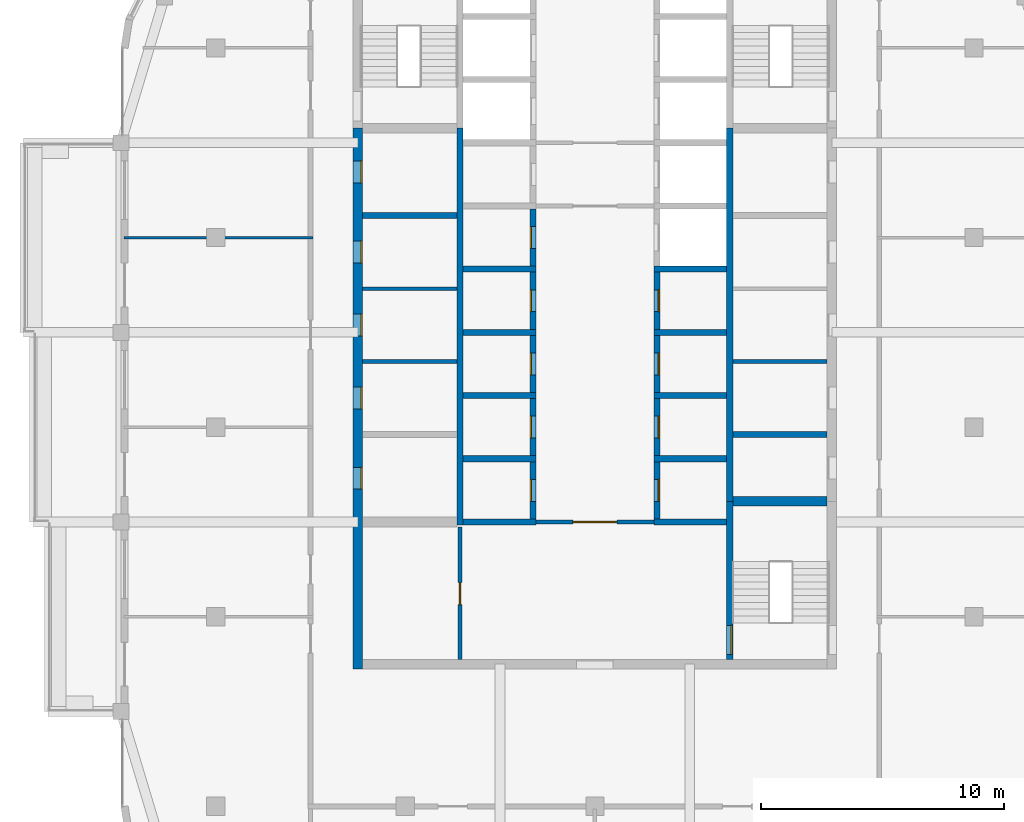
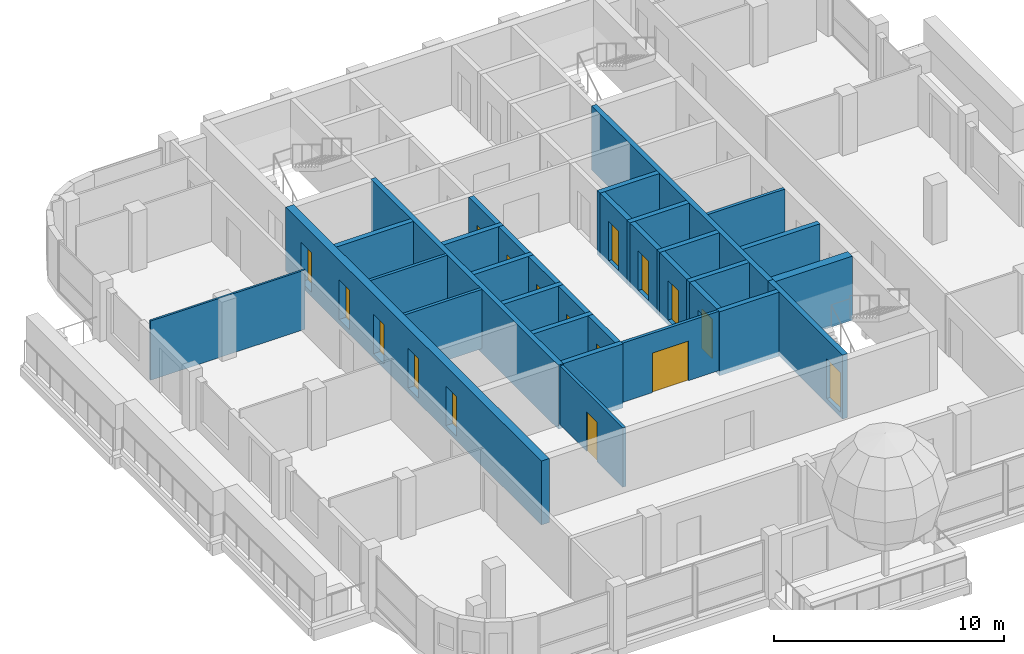
# One storey, part 11 of 19: 32 walls, 17 doors, 17 openings.
"""IFC4 building model written with IfcOpenShell, lengths in metres."""

from ifc_helpers import new_model, si_unit, direction, frame, frame_2d, origin, place, context, subcontext, project, spatial, rectangle, extrude, material, layer, layer_set, type_object, element, fill, save


model = new_model("IFC4")

# Units and contexts
model_context = context("Model", 3, precision=1e-05, world=origin(), true_north=direction((0.0, 1.0)))
body_context = subcontext(model_context, "Body", "Model", "MODEL_VIEW")
ifc_project = project(units=[si_unit("LENGTHUNIT", "METRE"), si_unit("AREAUNIT", "SQUARE_METRE"), si_unit("VOLUMEUNIT", "CUBIC_METRE"), si_unit("PLANEANGLEUNIT", "RADIAN"), si_unit("MASSUNIT", "GRAM", prefix="KILO")], contexts=[model_context])

# Site, building, storey
site_placement = place(None, origin())
site = spatial("IfcSite", under=ifc_project, at=site_placement, CompositionType="ELEMENT")
building_placement = place(site_placement, origin())
building = spatial("IfcBuilding", under=site, at=building_placement, Name="Ludao Terraces", CompositionType="ELEMENT")
storey_placement = place(building_placement, frame((0.0, 0.0, 256.199951171875)))
storey = spatial("IfcBuildingStorey", under=building, at=storey_placement, Name="L70", CompositionType="ELEMENT", Elevation=256.199951171875)

# Wall, openings, doors
ifc_material_1 = material(Name="Concrete C50", Category="concrete")
ifc_layer_1 = layer(ifc_material_1, 0.39990234375)
ifc_layer_set_1 = layer_set([ifc_layer_1], Name="Core wall 400 C50")
wall_type_1 = type_object("IfcWallType", Name="Core wall 400 C50", PredefinedType="SOLIDWALL", material=ifc_layer_set_1)
wall_1_placement = place(storey_placement, frame((75.25, 55.050048828125, -0.25), z_axis=(0.0, 0.0, 1.0), x_axis=(0.0, 1.0, 0.0)))
wall_1 = element("IfcWall", 1, at=wall_1_placement, inside=storey, type_object=wall_type_1, Name="Core wall L70 outer-W", PredefinedType="SOLIDWALL", context=body_context, shape_type="SweptSolid", body=[
    extrude(rectangle(XDim=22.25, YDim=0.39990234375, at=frame_2d((11.125, 0.0))), origin(), (0.0, 0.0, 1.0), 3.400146484375),
])
opening_1_placement = place(wall_1_placement, frame((7.39990234375, 0.0, 0.25)))
opening_1 = element("IfcOpeningElement", 2, at=opening_1_placement, cuts=wall_1, Name="Opening C4-013", PredefinedType="OPENING", context=body_context, shape_type="SweptSolid", body=[
    extrude(rectangle(XDim=0.89990234375, YDim=2.10009765625, at=frame_2d((0.449951171875, 1.050048828125))), frame((0.0, 0.2099609375, 0.0), z_axis=(0.0, -1.0, 0.0), x_axis=(1.0, 0.0, 0.0)), (0.0, 0.0, 1.0), 0.419921875),
])
opening_2_placement = place(wall_1_placement, frame((10.699951171875, 0.0, 0.25)))
opening_2 = element("IfcOpeningElement", 3, at=opening_2_placement, cuts=wall_1, Name="Opening C4-018", PredefinedType="OPENING", context=body_context, shape_type="SweptSolid", body=[
    extrude(rectangle(XDim=0.89990234375, YDim=2.10009765625, at=frame_2d((0.449951171875, 1.050048828125))), frame((0.0, 0.2099609375, 0.0), z_axis=(0.0, -1.0, 0.0), x_axis=(1.0, 0.0, 0.0)), (0.0, 0.0, 1.0), 0.419921875),
])
opening_3_placement = place(wall_1_placement, frame((13.699951171875, 0.0, 0.25)))
opening_3 = element("IfcOpeningElement", 4, at=opening_3_placement, cuts=wall_1, Name="Opening C4-023", PredefinedType="OPENING", context=body_context, shape_type="SweptSolid", body=[
    extrude(rectangle(XDim=0.89990234375, YDim=2.10009765625, at=frame_2d((0.449951171875, 1.050048828125))), frame((0.0, 0.2099609375, 0.0), z_axis=(0.0, -1.0, 0.0), x_axis=(1.0, 0.0, 0.0)), (0.0, 0.0, 1.0), 0.419921875),
])
opening_4_placement = place(wall_1_placement, frame((16.699951171875, 0.0, 0.25)))
opening_4 = element("IfcOpeningElement", 5, at=opening_4_placement, cuts=wall_1, Name="Opening C4-027", PredefinedType="OPENING", context=body_context, shape_type="SweptSolid", body=[
    extrude(rectangle(XDim=0.89990234375, YDim=2.10009765625, at=frame_2d((0.449951171875, 1.050048828125))), frame((0.0, 0.2099609375, 0.0), z_axis=(0.0, -1.0, 0.0), x_axis=(1.0, 0.0, 0.0)), (0.0, 0.0, 1.0), 0.419921875),
])
opening_5_placement = place(wall_1_placement, frame((20.0, 0.0, 0.25)))
opening_5 = element("IfcOpeningElement", 6, at=opening_5_placement, cuts=wall_1, Name="Opening C4-034", PredefinedType="OPENING", context=body_context, shape_type="SweptSolid", body=[
    extrude(rectangle(XDim=0.89990234375, YDim=2.10009765625, at=frame_2d((0.449951171875, 1.050048828125))), frame((0.0, 0.2099609375, 0.0), z_axis=(0.0, -1.0, 0.0), x_axis=(1.0, 0.0, 0.0)), (0.0, 0.0, 1.0), 0.419921875),
])
ifc_material_2 = material(Name="Steel Q235", Category="steel")
door_type_1 = type_object("IfcDoorType", Name="INT Riser door 900", OperationType="SINGLE_SWING_LEFT", PredefinedType="DOOR", material=ifc_material_2)
door_1_placement = place(opening_1_placement, origin())
door_1 = element("IfcDoor", 7, at=door_1_placement, inside=storey, type_object=door_type_1, Name="DOOR 013", OperationType="SINGLE_SWING_RIGHT", OverallHeight=2.10009765625, OverallWidth=0.89990234375, PredefinedType="DOOR", context=body_context, shape_type="SweptSolid", body=[
    extrude(rectangle(XDim=0.89990234375, YDim=2.10009765625, at=frame_2d((0.449951171875, 1.050048828125))), frame((0.0, -0.134765625, 0.0), z_axis=(0.0, -1.0, 0.0), x_axis=(1.0, 0.0, 0.0)), (0.0, 0.0, 1.0), 0.050048828125),
])
fill(opening_1, door_1)
door_2_placement = place(opening_5_placement, origin())
door_2 = element("IfcDoor", 8, at=door_2_placement, inside=storey, type_object=door_type_1, Name="DOOR 034", OperationType="SINGLE_SWING_LEFT", OverallHeight=2.10009765625, OverallWidth=0.89990234375, PredefinedType="DOOR", context=body_context, shape_type="SweptSolid", body=[
    extrude(rectangle(XDim=0.89990234375, YDim=2.10009765625, at=frame_2d((0.449951171875, 1.050048828125))), frame((0.0, -0.134765625, 0.0), z_axis=(0.0, -1.0, 0.0), x_axis=(1.0, 0.0, 0.0)), (0.0, 0.0, 1.0), 0.050048828125),
])
fill(opening_5, door_2)
ifc_material_3 = material(Name="Timber door leaf", Category="wood")
door_type_2 = type_object("IfcDoorType", Name="INT Room door 900", OperationType="SINGLE_SWING_LEFT", PredefinedType="DOOR", material=ifc_material_3)
door_3_placement = place(opening_2_placement, origin())
door_3 = element("IfcDoor", 9, at=door_3_placement, inside=storey, type_object=door_type_2, Name="DOOR 018", OperationType="SINGLE_SWING_RIGHT", OverallHeight=2.10009765625, OverallWidth=0.89990234375, PredefinedType="DOOR", context=body_context, shape_type="SweptSolid", body=[
    extrude(rectangle(XDim=0.89990234375, YDim=2.10009765625, at=frame_2d((0.449951171875, 1.050048828125))), frame((0.0, -0.134765625, 0.0), z_axis=(0.0, -1.0, 0.0), x_axis=(1.0, 0.0, 0.0)), (0.0, 0.0, 1.0), 0.050048828125),
])
fill(opening_2, door_3)
door_4_placement = place(opening_3_placement, origin())
door_4 = element("IfcDoor", 10, at=door_4_placement, inside=storey, type_object=door_type_2, Name="DOOR 023", OperationType="SINGLE_SWING_RIGHT", OverallHeight=2.10009765625, OverallWidth=0.89990234375, PredefinedType="DOOR", context=body_context, shape_type="SweptSolid", body=[
    extrude(rectangle(XDim=0.89990234375, YDim=2.10009765625, at=frame_2d((0.449951171875, 1.050048828125))), frame((0.0, -0.134765625, 0.0), z_axis=(0.0, -1.0, 0.0), x_axis=(1.0, 0.0, 0.0)), (0.0, 0.0, 1.0), 0.050048828125),
])
fill(opening_3, door_4)
door_5_placement = place(opening_4_placement, origin())
door_5 = element("IfcDoor", 11, at=door_5_placement, inside=storey, type_object=door_type_2, Name="DOOR 027", OperationType="SINGLE_SWING_RIGHT", OverallHeight=2.10009765625, OverallWidth=0.89990234375, PredefinedType="DOOR", context=body_context, shape_type="SweptSolid", body=[
    extrude(rectangle(XDim=0.89990234375, YDim=2.10009765625, at=frame_2d((0.449951171875, 1.050048828125))), frame((0.0, -0.134765625, 0.0), z_axis=(0.0, -1.0, 0.0), x_axis=(1.0, 0.0, 0.0)), (0.0, 0.0, 1.0), 0.050048828125),
])
fill(opening_4, door_5)

# Wall, opening, door
ifc_material_4 = material(Name="Fire-rated gypsum plasterboard", Category="gypsum")
ifc_layer_2 = layer(ifc_material_4, 0.012451171875, Category="gypsum")
ifc_material_5 = material(Name="Mineral wool")
ifc_layer_3 = layer(ifc_material_5, 0.10009765625, Name="insulation")
ifc_layer_4 = layer(ifc_material_2, 0.02490234375, Name="stud")
ifc_layer_5 = layer(ifc_material_4, 0.012451171875, Category="gypsum")
ifc_layer_set_2 = layer_set([ifc_layer_2, ifc_layer_3, ifc_layer_4, ifc_layer_5], Name="INT Core partition 150")
wall_type_2 = type_object("IfcWallType", Name="INT Core partition 150", PredefinedType="PARTITIONING", material=ifc_layer_set_2)
wall_2_placement = place(storey_placement, frame((82.5751953125, 61.10009765625, 0.0), z_axis=(0.0, 0.0, 1.0), x_axis=(1.0, 0.0, 0.0)))
wall_2 = element("IfcWall", 12, at=wall_2_placement, inside=storey, type_object=wall_type_2, Name="PW-L70-PW003", PredefinedType="PARTITIONING", context=body_context, shape_type="SweptSolid", body=[
    extrude(rectangle(XDim=4.849853515625, YDim=0.14990234375, at=frame_2d((2.4248046875, 0.0))), origin(), (0.0, 0.0, 1.0), 3.150146484375),
])
opening_6_placement = place(wall_2_placement, frame((1.52490234375, 0.0, 0.0)))
opening_6 = element("IfcOpeningElement", 13, at=opening_6_placement, cuts=wall_2, Name="Opening C4-010", PredefinedType="OPENING", context=body_context, shape_type="SweptSolid", body=[
    extrude(rectangle(XDim=1.800048828125, YDim=2.10009765625, at=frame_2d((0.89990234375, 1.050048828125))), frame((0.0, 0.0849609375, 0.0), z_axis=(0.0, -1.0, 0.0), x_axis=(1.0, 0.0, 0.0)), (0.0, 0.0, 1.0), 0.169921875),
])
door_type_3 = type_object("IfcDoorType", Name="INT Fire lobby door 1800", OperationType="DOUBLE_DOOR_SINGLE_SWING", PredefinedType="DOOR", material=ifc_material_2)
door_6_placement = place(opening_6_placement, origin())
door_6 = element("IfcDoor", 14, at=door_6_placement, inside=storey, type_object=door_type_3, Name="DOOR 010", OperationType="DOUBLE_DOOR_SINGLE_SWING", OverallHeight=2.10009765625, OverallWidth=1.800048828125, PredefinedType="DOOR", context=body_context, shape_type="SweptSolid", body=[
    extrude(rectangle(XDim=1.800048828125, YDim=2.10009765625, at=frame_2d((0.89990234375, 1.050048828125))), frame((0.0, 0.02490234375, 0.0), z_axis=(0.0, -1.0, 0.0), x_axis=(1.0, 0.0, 0.0)), (0.0, 0.0, 1.0), 0.050048828125),
])
fill(opening_6, door_6)

# Walls
for number, where, z_axis, x_axis, name in (
    (15, (75.4501953125, 67.699951171875, 0.0), (0.0, 0.0, 1.0), (1.0, 0.0, 0.0), "PW-L70-PW005"),
    (16, (90.675048828125, 67.699951171875, 0.0), (0.0, 0.0, 1.0), (1.0, 0.0, 0.0), "PW-L70-PW006"),
    (17, (75.4501953125, 70.699951171875, 0.0), (0.0, 0.0, 1.0), (1.0, 0.0, 0.0), "PW-L70-PW007"),
):
    element("IfcWall", number, at=place(storey_placement, frame(where, z_axis=z_axis, x_axis=x_axis)), inside=storey, type_object=wall_type_2, Name=name, PredefinedType="PARTITIONING", context=body_context, shape_type="SweptSolid", body=[
        extrude(rectangle(XDim=3.875, YDim=0.14990234375, at=frame_2d((1.9375, 0.0))), origin(), (0.0, 0.0, 1.0), 3.150146484375),
    ])

# Wall, opening, door
wall_3_placement = place(storey_placement, frame((79.449951171875, 55.4501953125, 0.0), z_axis=(0.0, 0.0, 1.0), x_axis=(0.0, 1.0, 0.0)))
wall_3 = element("IfcWall", 18, at=wall_3_placement, inside=storey, type_object=wall_type_2, Name="PW-L70-PW019", PredefinedType="PARTITIONING", context=body_context, shape_type="SweptSolid", body=[
    extrude(rectangle(XDim=5.449951171875, YDim=0.14990234375, at=frame_2d((2.72509765625, 0.0))), origin(), (0.0, 0.0, 1.0), 3.150146484375),
])
opening_7_placement = place(wall_3_placement, frame((2.25, 0.0, 0.0)))
opening_7 = element("IfcOpeningElement", 19, at=opening_7_placement, cuts=wall_3, Name="Opening C4-008", PredefinedType="OPENING", context=body_context, shape_type="SweptSolid", body=[
    extrude(rectangle(XDim=0.89990234375, YDim=2.10009765625, at=frame_2d((0.449951171875, 1.050048828125))), frame((0.0, 0.0849609375, 0.0), z_axis=(0.0, -1.0, 0.0), x_axis=(1.0, 0.0, 0.0)), (0.0, 0.0, 1.0), 0.169921875),
])
door_7_placement = place(opening_7_placement, origin())
door_7 = element("IfcDoor", 20, at=door_7_placement, inside=storey, type_object=door_type_2, Name="DOOR 008", OperationType="SINGLE_SWING_LEFT", OverallHeight=2.10009765625, OverallWidth=0.89990234375, PredefinedType="DOOR", context=body_context, shape_type="SweptSolid", body=[
    extrude(rectangle(XDim=0.89990234375, YDim=2.10009765625, at=frame_2d((0.449951171875, 1.050048828125))), frame((0.0, 0.02490234375, 0.0), z_axis=(0.0, -1.0, 0.0), x_axis=(1.0, 0.0, 0.0)), (0.0, 0.0, 1.0), 0.050048828125),
])
fill(opening_7, door_7)

# Walls
ifc_material_6 = material(Name="Gypsum plasterboard", Category="gypsum")
ifc_layer_6 = layer(ifc_material_6, 0.012451171875, Category="gypsum")
ifc_layer_7 = layer(ifc_material_5, 0.06005859375, Name="insulation")
ifc_layer_8 = layer(ifc_material_2, 0.014892578125, Name="stud")
ifc_layer_9 = layer(ifc_material_6, 0.012451171875, Category="gypsum")
ifc_layer_set_3 = layer_set([ifc_layer_6, ifc_layer_7, ifc_layer_8, ifc_layer_9], Name="INT Partition 100")
wall_type_3 = type_object("IfcWallType", Name="INT Partition 100", PredefinedType="PARTITIONING", material=ifc_layer_set_3)
wall_4_placement = place(storey_placement, frame((65.635009765625, 72.800048828125, 0.0), z_axis=(0.0, 0.0, 1.0), x_axis=(1.0, 0.0, 0.0)))
element("IfcWall", 21, at=wall_4_placement, inside=storey, type_object=wall_type_3, Name="PW-L70-PW009", PredefinedType="PARTITIONING", context=body_context, shape_type="SweptSolid", body=[
    extrude(rectangle(XDim=7.76513671875, YDim=0.10009765625, at=frame_2d((3.882568359375, 0.0))), origin(), (0.0, 0.0, 1.0), 3.150146484375),
])
ifc_layer_10 = layer(ifc_material_1, 0.25)
ifc_layer_set_4 = layer_set([ifc_layer_10], Name="Shaft wall 250 C50")
wall_type_4 = type_object("IfcWallType", Name="Shaft wall 250 C50", PredefinedType="SOLIDWALL", material=ifc_layer_set_4)
wall_5_placement = place(storey_placement, frame((79.449951171875, 60.97509765625, -0.25), z_axis=(0.0, 0.0, 1.0), x_axis=(0.0, 1.0, 0.0)))
element("IfcWall", 22, at=wall_5_placement, inside=storey, type_object=wall_type_4, Name="Core wall L70 back-W", PredefinedType="SOLIDWALL", context=body_context, shape_type="SweptSolid", body=[
    extrude(rectangle(XDim=16.324951171875, YDim=0.25, at=frame_2d((8.16259765625, 0.0))), origin(), (0.0, 0.0, 1.0), 3.400146484375),
])

# Wall, opening, door
wall_6_placement = place(storey_placement, frame((90.550048828125, 55.449951171875, -0.25), z_axis=(0.0, 0.0, 1.0), x_axis=(0.0, 1.0, 0.0)))
wall_6 = element("IfcWall", 23, at=wall_6_placement, inside=storey, type_object=wall_type_4, Name="Core wall L70 back-E-S3", PredefinedType="SOLIDWALL", context=body_context, shape_type="SweptSolid", body=[
    extrude(rectangle(XDim=6.5, YDim=0.25, at=frame_2d((3.25, 0.0))), origin(), (0.0, 0.0, 1.0), 3.400146484375),
])
opening_8_placement = place(wall_6_placement, frame((0.199951171875, 0.0, 0.25)))
opening_8 = element("IfcOpeningElement", 24, at=opening_8_placement, cuts=wall_6, Name="Opening C4-004", PredefinedType="OPENING", context=body_context, shape_type="SweptSolid", body=[
    extrude(rectangle(XDim=1.199951171875, YDim=2.10009765625, at=frame_2d((0.60009765625, 1.050048828125))), frame((0.0, 0.135009765625, 0.0), z_axis=(0.0, -1.0, 0.0), x_axis=(1.0, 0.0, 0.0)), (0.0, 0.0, 1.0), 0.27001953125),
])
door_type_4 = type_object("IfcDoorType", Name="INT Stair door 1200", OperationType="DOUBLE_DOOR_SINGLE_SWING", PredefinedType="DOOR", material=ifc_material_2)
door_8_placement = place(opening_8_placement, origin())
door_8 = element("IfcDoor", 25, at=door_8_placement, inside=storey, type_object=door_type_4, Name="DOOR 004", OperationType="DOUBLE_DOOR_SINGLE_SWING", OverallHeight=2.10009765625, OverallWidth=1.199951171875, PredefinedType="DOOR", context=body_context, shape_type="SweptSolid", body=[
    extrude(rectangle(XDim=1.199951171875, YDim=2.10009765625, at=frame_2d((0.60009765625, 1.050048828125))), frame((0.0, -0.06005859375, 0.0), z_axis=(0.0, -1.0, 0.0), x_axis=(1.0, 0.0, 0.0)), (0.0, 0.0, 1.0), 0.050048828125),
])
fill(opening_8, door_8)

# Walls
wall_7_placement = place(storey_placement, frame((90.550048828125, 61.949951171875, -0.25), z_axis=(0.0, 0.0, 1.0), x_axis=(0.0, 1.0, 0.0)))
element("IfcWall", 26, at=wall_7_placement, inside=storey, type_object=wall_type_4, Name="Core wall L70 back-E", PredefinedType="SOLIDWALL", context=body_context, shape_type="SweptSolid", body=[
    extrude(rectangle(XDim=15.35009765625, YDim=0.25, at=frame_2d((7.675048828125, 0.0))), origin(), (0.0, 0.0, 1.0), 3.400146484375),
])
wall_8_placement = place(storey_placement, frame((79.574951171875, 61.10009765625, -0.25), z_axis=(0.0, 0.0, 1.0), x_axis=(1.0, 0.0, 0.0)))
element("IfcWall", 27, at=wall_8_placement, inside=storey, type_object=wall_type_4, Name="Core wall L70 div-W1", PredefinedType="SOLIDWALL", context=body_context, shape_type="SweptSolid", body=[
    extrude(rectangle(XDim=3.0, YDim=0.25, at=frame_2d((1.5, 0.0))), origin(), (0.0, 0.0, 1.0), 3.400146484375),
])

# Wall, opening, door
wall_9_placement = place(storey_placement, frame((82.449951171875, 61.22509765625, -0.25), z_axis=(0.0, 0.0, 1.0), x_axis=(0.0, 1.0, 0.0)))
wall_9 = element("IfcWall", 28, at=wall_9_placement, inside=storey, type_object=wall_type_4, Name="Core wall L70 front-W1", PredefinedType="SOLIDWALL", context=body_context, shape_type="SweptSolid", body=[
    extrude(rectangle(XDim=2.349853515625, YDim=0.25, at=frame_2d((1.1748046875, 0.0))), origin(), (0.0, 0.0, 1.0), 3.400146484375),
])
opening_9_placement = place(wall_9_placement, frame((0.72509765625, 0.0, 0.25)))
opening_9 = element("IfcOpeningElement", 29, at=opening_9_placement, cuts=wall_9, Name="Opening C4-011", PredefinedType="OPENING", context=body_context, shape_type="SweptSolid", body=[
    extrude(rectangle(XDim=0.89990234375, YDim=2.10009765625, at=frame_2d((0.449951171875, 1.050048828125))), frame((0.0, 0.135009765625, 0.0), z_axis=(0.0, -1.0, 0.0), x_axis=(1.0, 0.0, 0.0)), (0.0, 0.0, 1.0), 0.27001953125),
])
door_9_placement = place(opening_9_placement, origin())
door_9 = element("IfcDoor", 30, at=door_9_placement, inside=storey, type_object=door_type_2, Name="DOOR 011", OperationType="SINGLE_SWING_LEFT", OverallHeight=2.10009765625, OverallWidth=0.89990234375, PredefinedType="DOOR", context=body_context, shape_type="SweptSolid", body=[
    extrude(rectangle(XDim=0.89990234375, YDim=2.10009765625, at=frame_2d((0.449951171875, 1.050048828125))), frame((0.0, 0.10986328125, 0.0), z_axis=(0.0, -1.0, 0.0), x_axis=(1.0, 0.0, 0.0)), (0.0, 0.0, 1.0), 0.050048828125),
])
fill(opening_9, door_9)

# Wall
wall_10_placement = place(storey_placement, frame((79.574951171875, 63.699951171875, -0.25), z_axis=(0.0, 0.0, 1.0), x_axis=(1.0, 0.0, 0.0)))
element("IfcWall", 31, at=wall_10_placement, inside=storey, type_object=wall_type_4, Name="Core wall L70 div-W2", PredefinedType="SOLIDWALL", context=body_context, shape_type="SweptSolid", body=[
    extrude(rectangle(XDim=3.0, YDim=0.25, at=frame_2d((1.5, 0.0))), origin(), (0.0, 0.0, 1.0), 3.400146484375),
])

# Wall, opening, door
wall_11_placement = place(storey_placement, frame((82.449951171875, 63.824951171875, -0.25), z_axis=(0.0, 0.0, 1.0), x_axis=(0.0, 1.0, 0.0)))
wall_11 = element("IfcWall", 32, at=wall_11_placement, inside=storey, type_object=wall_type_4, Name="Core wall L70 front-W2", PredefinedType="SOLIDWALL", context=body_context, shape_type="SweptSolid", body=[
    extrude(rectangle(XDim=2.35009765625, YDim=0.25, at=frame_2d((1.175048828125, 0.0))), origin(), (0.0, 0.0, 1.0), 3.400146484375),
])
opening_10_placement = place(wall_11_placement, frame((0.72509765625, 0.0, 0.25)))
opening_10 = element("IfcOpeningElement", 33, at=opening_10_placement, cuts=wall_11, Name="Opening C4-016", PredefinedType="OPENING", context=body_context, shape_type="SweptSolid", body=[
    extrude(rectangle(XDim=0.89990234375, YDim=2.10009765625, at=frame_2d((0.449951171875, 1.050048828125))), frame((0.0, 0.135009765625, 0.0), z_axis=(0.0, -1.0, 0.0), x_axis=(1.0, 0.0, 0.0)), (0.0, 0.0, 1.0), 0.27001953125),
])
door_10_placement = place(opening_10_placement, origin())
door_10 = element("IfcDoor", 34, at=door_10_placement, inside=storey, type_object=door_type_2, Name="DOOR 016", OperationType="SINGLE_SWING_LEFT", OverallHeight=2.10009765625, OverallWidth=0.89990234375, PredefinedType="DOOR", context=body_context, shape_type="SweptSolid", body=[
    extrude(rectangle(XDim=0.89990234375, YDim=2.10009765625, at=frame_2d((0.449951171875, 1.050048828125))), frame((0.0, 0.10986328125, 0.0), z_axis=(0.0, -1.0, 0.0), x_axis=(1.0, 0.0, 0.0)), (0.0, 0.0, 1.0), 0.050048828125),
])
fill(opening_10, door_10)

# Wall
wall_12_placement = place(storey_placement, frame((79.574951171875, 66.300048828125, -0.25), z_axis=(0.0, 0.0, 1.0), x_axis=(1.0, 0.0, 0.0)))
element("IfcWall", 35, at=wall_12_placement, inside=storey, type_object=wall_type_4, Name="Core wall L70 div-W3", PredefinedType="SOLIDWALL", context=body_context, shape_type="SweptSolid", body=[
    extrude(rectangle(XDim=3.0, YDim=0.25, at=frame_2d((1.5, 0.0))), origin(), (0.0, 0.0, 1.0), 3.400146484375),
])

# Wall, opening, door
wall_13_placement = place(storey_placement, frame((82.449951171875, 66.425048828125, -0.25), z_axis=(0.0, 0.0, 1.0), x_axis=(0.0, 1.0, 0.0)))
wall_13 = element("IfcWall", 36, at=wall_13_placement, inside=storey, type_object=wall_type_4, Name="Core wall L70 front-W3", PredefinedType="SOLIDWALL", context=body_context, shape_type="SweptSolid", body=[
    extrude(rectangle(XDim=2.349853515625, YDim=0.25, at=frame_2d((1.1748046875, 0.0))), origin(), (0.0, 0.0, 1.0), 3.400146484375),
])
opening_11_placement = place(wall_13_placement, frame((0.72509765625, 0.0, 0.25)))
opening_11 = element("IfcOpeningElement", 37, at=opening_11_placement, cuts=wall_13, Name="Opening C4-020", PredefinedType="OPENING", context=body_context, shape_type="SweptSolid", body=[
    extrude(rectangle(XDim=0.89990234375, YDim=2.10009765625, at=frame_2d((0.449951171875, 1.050048828125))), frame((0.0, 0.135009765625, 0.0), z_axis=(0.0, -1.0, 0.0), x_axis=(1.0, 0.0, 0.0)), (0.0, 0.0, 1.0), 0.27001953125),
])
door_11_placement = place(opening_11_placement, origin())
door_11 = element("IfcDoor", 38, at=door_11_placement, inside=storey, type_object=door_type_2, Name="DOOR 020", OperationType="SINGLE_SWING_LEFT", OverallHeight=2.10009765625, OverallWidth=0.89990234375, PredefinedType="DOOR", context=body_context, shape_type="SweptSolid", body=[
    extrude(rectangle(XDim=0.89990234375, YDim=2.10009765625, at=frame_2d((0.449951171875, 1.050048828125))), frame((0.0, 0.10986328125, 0.0), z_axis=(0.0, -1.0, 0.0), x_axis=(1.0, 0.0, 0.0)), (0.0, 0.0, 1.0), 0.050048828125),
])
fill(opening_11, door_11)

# Wall
wall_14_placement = place(storey_placement, frame((79.574951171875, 68.89990234375, -0.25), z_axis=(0.0, 0.0, 1.0), x_axis=(1.0, 0.0, 0.0)))
element("IfcWall", 39, at=wall_14_placement, inside=storey, type_object=wall_type_4, Name="Core wall L70 div-W4", PredefinedType="SOLIDWALL", context=body_context, shape_type="SweptSolid", body=[
    extrude(rectangle(XDim=3.0, YDim=0.25, at=frame_2d((1.5, 0.0))), origin(), (0.0, 0.0, 1.0), 3.400146484375),
])

# Wall, opening, door
wall_15_placement = place(storey_placement, frame((82.449951171875, 69.02490234375, -0.25), z_axis=(0.0, 0.0, 1.0), x_axis=(0.0, 1.0, 0.0)))
wall_15 = element("IfcWall", 40, at=wall_15_placement, inside=storey, type_object=wall_type_4, Name="Core wall L70 front-W4", PredefinedType="SOLIDWALL", context=body_context, shape_type="SweptSolid", body=[
    extrude(rectangle(XDim=2.35009765625, YDim=0.25, at=frame_2d((1.175048828125, 0.0))), origin(), (0.0, 0.0, 1.0), 3.400146484375),
])
opening_12_placement = place(wall_15_placement, frame((0.72509765625, 0.0, 0.25)))
opening_12 = element("IfcOpeningElement", 41, at=opening_12_placement, cuts=wall_15, Name="Opening C4-025", PredefinedType="OPENING", context=body_context, shape_type="SweptSolid", body=[
    extrude(rectangle(XDim=0.89990234375, YDim=2.10009765625, at=frame_2d((0.449951171875, 1.050048828125))), frame((0.0, 0.135009765625, 0.0), z_axis=(0.0, -1.0, 0.0), x_axis=(1.0, 0.0, 0.0)), (0.0, 0.0, 1.0), 0.27001953125),
])
door_12_placement = place(opening_12_placement, origin())
door_12 = element("IfcDoor", 42, at=door_12_placement, inside=storey, type_object=door_type_2, Name="DOOR 025", OperationType="SINGLE_SWING_RIGHT", OverallHeight=2.10009765625, OverallWidth=0.89990234375, PredefinedType="DOOR", context=body_context, shape_type="SweptSolid", body=[
    extrude(rectangle(XDim=0.89990234375, YDim=2.10009765625, at=frame_2d((0.449951171875, 1.050048828125))), frame((0.0, 0.10986328125, 0.0), z_axis=(0.0, -1.0, 0.0), x_axis=(1.0, 0.0, 0.0)), (0.0, 0.0, 1.0), 0.050048828125),
])
fill(opening_12, door_12)

# Wall
wall_16_placement = place(storey_placement, frame((79.574951171875, 71.5, -0.25), z_axis=(0.0, 0.0, 1.0), x_axis=(1.0, 0.0, 0.0)))
element("IfcWall", 43, at=wall_16_placement, inside=storey, type_object=wall_type_4, Name="Core wall L70 div-W5", PredefinedType="SOLIDWALL", context=body_context, shape_type="SweptSolid", body=[
    extrude(rectangle(XDim=3.0, YDim=0.25, at=frame_2d((1.5, 0.0))), origin(), (0.0, 0.0, 1.0), 3.400146484375),
])

# Wall, opening, door
wall_17_placement = place(storey_placement, frame((82.449951171875, 71.625, -0.25), z_axis=(0.0, 0.0, 1.0), x_axis=(0.0, 1.0, 0.0)))
wall_17 = element("IfcWall", 44, at=wall_17_placement, inside=storey, type_object=wall_type_4, Name="Core wall L70 front-W5", PredefinedType="SOLIDWALL", context=body_context, shape_type="SweptSolid", body=[
    extrude(rectangle(XDim=2.35009765625, YDim=0.25, at=frame_2d((1.175048828125, 0.0))), origin(), (0.0, 0.0, 1.0), 3.400146484375),
])
opening_13_placement = place(wall_17_placement, frame((0.72509765625, 0.0, 0.25)))
opening_13 = element("IfcOpeningElement", 45, at=opening_13_placement, cuts=wall_17, Name="Opening C4-029", PredefinedType="OPENING", context=body_context, shape_type="SweptSolid", body=[
    extrude(rectangle(XDim=0.89990234375, YDim=2.10009765625, at=frame_2d((0.449951171875, 1.050048828125))), frame((0.0, 0.135009765625, 0.0), z_axis=(0.0, -1.0, 0.0), x_axis=(1.0, 0.0, 0.0)), (0.0, 0.0, 1.0), 0.27001953125),
])
door_13_placement = place(opening_13_placement, origin())
door_13 = element("IfcDoor", 46, at=door_13_placement, inside=storey, type_object=door_type_2, Name="DOOR 029", OperationType="SINGLE_SWING_LEFT", OverallHeight=2.10009765625, OverallWidth=0.89990234375, PredefinedType="DOOR", context=body_context, shape_type="SweptSolid", body=[
    extrude(rectangle(XDim=0.89990234375, YDim=2.10009765625, at=frame_2d((0.449951171875, 1.050048828125))), frame((0.0, 0.10986328125, 0.0), z_axis=(0.0, -1.0, 0.0), x_axis=(1.0, 0.0, 0.0)), (0.0, 0.0, 1.0), 0.050048828125),
])
fill(opening_13, door_13)

# Wall
wall_18_placement = place(storey_placement, frame((87.425048828125, 61.10009765625, -0.25), z_axis=(0.0, 0.0, 1.0), x_axis=(1.0, 0.0, 0.0)))
element("IfcWall", 47, at=wall_18_placement, inside=storey, type_object=wall_type_4, Name="Core wall L70 div-E1", PredefinedType="SOLIDWALL", context=body_context, shape_type="SweptSolid", body=[
    extrude(rectangle(XDim=3.0, YDim=0.25, at=frame_2d((1.5, 0.0))), origin(), (0.0, 0.0, 1.0), 3.400146484375),
])

# Wall, opening, door
wall_19_placement = place(storey_placement, frame((87.550048828125, 61.22509765625, -0.25), z_axis=(0.0, 0.0, 1.0), x_axis=(0.0, 1.0, 0.0)))
wall_19 = element("IfcWall", 48, at=wall_19_placement, inside=storey, type_object=wall_type_4, Name="Core wall L70 front-E1", PredefinedType="SOLIDWALL", context=body_context, shape_type="SweptSolid", body=[
    extrude(rectangle(XDim=2.349853515625, YDim=0.25, at=frame_2d((1.1748046875, 0.0))), origin(), (0.0, 0.0, 1.0), 3.400146484375),
])
opening_14_placement = place(wall_19_placement, frame((0.72509765625, 0.0, 0.25)))
opening_14 = element("IfcOpeningElement", 49, at=opening_14_placement, cuts=wall_19, Name="Opening C4-012", PredefinedType="OPENING", context=body_context, shape_type="SweptSolid", body=[
    extrude(rectangle(XDim=0.89990234375, YDim=2.10009765625, at=frame_2d((0.449951171875, 1.050048828125))), frame((0.0, 0.135009765625, 0.0), z_axis=(0.0, -1.0, 0.0), x_axis=(1.0, 0.0, 0.0)), (0.0, 0.0, 1.0), 0.27001953125),
])
door_14_placement = place(opening_14_placement, origin())
door_14 = element("IfcDoor", 50, at=door_14_placement, inside=storey, type_object=door_type_2, Name="DOOR 012", OperationType="SINGLE_SWING_RIGHT", OverallHeight=2.10009765625, OverallWidth=0.89990234375, PredefinedType="DOOR", context=body_context, shape_type="SweptSolid", body=[
    extrude(rectangle(XDim=0.89990234375, YDim=2.10009765625, at=frame_2d((0.449951171875, 1.050048828125))), frame((0.0, -0.06005859375, 0.0), z_axis=(0.0, -1.0, 0.0), x_axis=(1.0, 0.0, 0.0)), (0.0, 0.0, 1.0), 0.050048828125),
])
fill(opening_14, door_14)

# Wall
wall_20_placement = place(storey_placement, frame((87.425048828125, 63.699951171875, -0.25), z_axis=(0.0, 0.0, 1.0), x_axis=(1.0, 0.0, 0.0)))
element("IfcWall", 51, at=wall_20_placement, inside=storey, type_object=wall_type_4, Name="Core wall L70 div-E2", PredefinedType="SOLIDWALL", context=body_context, shape_type="SweptSolid", body=[
    extrude(rectangle(XDim=3.0, YDim=0.25, at=frame_2d((1.5, 0.0))), origin(), (0.0, 0.0, 1.0), 3.400146484375),
])

# Wall, opening, door
wall_21_placement = place(storey_placement, frame((87.550048828125, 63.824951171875, -0.25), z_axis=(0.0, 0.0, 1.0), x_axis=(0.0, 1.0, 0.0)))
wall_21 = element("IfcWall", 52, at=wall_21_placement, inside=storey, type_object=wall_type_4, Name="Core wall L70 front-E2", PredefinedType="SOLIDWALL", context=body_context, shape_type="SweptSolid", body=[
    extrude(rectangle(XDim=2.35009765625, YDim=0.25, at=frame_2d((1.175048828125, 0.0))), origin(), (0.0, 0.0, 1.0), 3.400146484375),
])
opening_15_placement = place(wall_21_placement, frame((0.72509765625, 0.0, 0.25)))
opening_15 = element("IfcOpeningElement", 53, at=opening_15_placement, cuts=wall_21, Name="Opening C4-017", PredefinedType="OPENING", context=body_context, shape_type="SweptSolid", body=[
    extrude(rectangle(XDim=0.89990234375, YDim=2.10009765625, at=frame_2d((0.449951171875, 1.050048828125))), frame((0.0, 0.135009765625, 0.0), z_axis=(0.0, -1.0, 0.0), x_axis=(1.0, 0.0, 0.0)), (0.0, 0.0, 1.0), 0.27001953125),
])
door_15_placement = place(opening_15_placement, origin())
door_15 = element("IfcDoor", 54, at=door_15_placement, inside=storey, type_object=door_type_2, Name="DOOR 017", OperationType="SINGLE_SWING_RIGHT", OverallHeight=2.10009765625, OverallWidth=0.89990234375, PredefinedType="DOOR", context=body_context, shape_type="SweptSolid", body=[
    extrude(rectangle(XDim=0.89990234375, YDim=2.10009765625, at=frame_2d((0.449951171875, 1.050048828125))), frame((0.0, -0.06005859375, 0.0), z_axis=(0.0, -1.0, 0.0), x_axis=(1.0, 0.0, 0.0)), (0.0, 0.0, 1.0), 0.050048828125),
])
fill(opening_15, door_15)

# Wall
wall_22_placement = place(storey_placement, frame((87.425048828125, 66.300048828125, -0.25), z_axis=(0.0, 0.0, 1.0), x_axis=(1.0, 0.0, 0.0)))
element("IfcWall", 55, at=wall_22_placement, inside=storey, type_object=wall_type_4, Name="Core wall L70 div-E3", PredefinedType="SOLIDWALL", context=body_context, shape_type="SweptSolid", body=[
    extrude(rectangle(XDim=3.0, YDim=0.25, at=frame_2d((1.5, 0.0))), origin(), (0.0, 0.0, 1.0), 3.400146484375),
])

# Wall, opening, door
wall_23_placement = place(storey_placement, frame((87.550048828125, 66.425048828125, -0.25), z_axis=(0.0, 0.0, 1.0), x_axis=(0.0, 1.0, 0.0)))
wall_23 = element("IfcWall", 56, at=wall_23_placement, inside=storey, type_object=wall_type_4, Name="Core wall L70 front-E3", PredefinedType="SOLIDWALL", context=body_context, shape_type="SweptSolid", body=[
    extrude(rectangle(XDim=2.349853515625, YDim=0.25, at=frame_2d((1.1748046875, 0.0))), origin(), (0.0, 0.0, 1.0), 3.400146484375),
])
opening_16_placement = place(wall_23_placement, frame((0.72509765625, 0.0, 0.25)))
opening_16 = element("IfcOpeningElement", 57, at=opening_16_placement, cuts=wall_23, Name="Opening C4-021", PredefinedType="OPENING", context=body_context, shape_type="SweptSolid", body=[
    extrude(rectangle(XDim=0.89990234375, YDim=2.10009765625, at=frame_2d((0.449951171875, 1.050048828125))), frame((0.0, 0.135009765625, 0.0), z_axis=(0.0, -1.0, 0.0), x_axis=(1.0, 0.0, 0.0)), (0.0, 0.0, 1.0), 0.27001953125),
])
door_16_placement = place(opening_16_placement, origin())
door_16 = element("IfcDoor", 58, at=door_16_placement, inside=storey, type_object=door_type_2, Name="DOOR 021", OperationType="SINGLE_SWING_RIGHT", OverallHeight=2.10009765625, OverallWidth=0.89990234375, PredefinedType="DOOR", context=body_context, shape_type="SweptSolid", body=[
    extrude(rectangle(XDim=0.89990234375, YDim=2.10009765625, at=frame_2d((0.449951171875, 1.050048828125))), frame((0.0, -0.06005859375, 0.0), z_axis=(0.0, -1.0, 0.0), x_axis=(1.0, 0.0, 0.0)), (0.0, 0.0, 1.0), 0.050048828125),
])
fill(opening_16, door_16)

# Wall
wall_24_placement = place(storey_placement, frame((87.425048828125, 68.89990234375, -0.25), z_axis=(0.0, 0.0, 1.0), x_axis=(1.0, 0.0, 0.0)))
element("IfcWall", 59, at=wall_24_placement, inside=storey, type_object=wall_type_4, Name="Core wall L70 div-E4", PredefinedType="SOLIDWALL", context=body_context, shape_type="SweptSolid", body=[
    extrude(rectangle(XDim=3.0, YDim=0.25, at=frame_2d((1.5, 0.0))), origin(), (0.0, 0.0, 1.0), 3.400146484375),
])

# Wall, opening, door
wall_25_placement = place(storey_placement, frame((87.550048828125, 69.02490234375, -0.25), z_axis=(0.0, 0.0, 1.0), x_axis=(0.0, 1.0, 0.0)))
wall_25 = element("IfcWall", 60, at=wall_25_placement, inside=storey, type_object=wall_type_4, Name="Core wall L70 front-E4", PredefinedType="SOLIDWALL", context=body_context, shape_type="SweptSolid", body=[
    extrude(rectangle(XDim=2.35009765625, YDim=0.25, at=frame_2d((1.175048828125, 0.0))), origin(), (0.0, 0.0, 1.0), 3.400146484375),
])
opening_17_placement = place(wall_25_placement, frame((0.72509765625, 0.0, 0.25)))
opening_17 = element("IfcOpeningElement", 61, at=opening_17_placement, cuts=wall_25, Name="Opening C4-026", PredefinedType="OPENING", context=body_context, shape_type="SweptSolid", body=[
    extrude(rectangle(XDim=0.89990234375, YDim=2.10009765625, at=frame_2d((0.449951171875, 1.050048828125))), frame((0.0, 0.135009765625, 0.0), z_axis=(0.0, -1.0, 0.0), x_axis=(1.0, 0.0, 0.0)), (0.0, 0.0, 1.0), 0.27001953125),
])
door_17_placement = place(opening_17_placement, origin())
door_17 = element("IfcDoor", 62, at=door_17_placement, inside=storey, type_object=door_type_2, Name="DOOR 026", OperationType="SINGLE_SWING_LEFT", OverallHeight=2.10009765625, OverallWidth=0.89990234375, PredefinedType="DOOR", context=body_context, shape_type="SweptSolid", body=[
    extrude(rectangle(XDim=0.89990234375, YDim=2.10009765625, at=frame_2d((0.449951171875, 1.050048828125))), frame((0.0, -0.06005859375, 0.0), z_axis=(0.0, -1.0, 0.0), x_axis=(1.0, 0.0, 0.0)), (0.0, 0.0, 1.0), 0.050048828125),
])
fill(opening_17, door_17)

# Walls
wall_26_placement = place(storey_placement, frame((87.425048828125, 71.5, -0.25), z_axis=(0.0, 0.0, 1.0), x_axis=(1.0, 0.0, 0.0)))
element("IfcWall", 63, at=wall_26_placement, inside=storey, type_object=wall_type_4, Name="Core wall L70 div-E5", PredefinedType="SOLIDWALL", context=body_context, shape_type="SweptSolid", body=[
    extrude(rectangle(XDim=3.0, YDim=0.25, at=frame_2d((1.5, 0.0))), origin(), (0.0, 0.0, 1.0), 3.400146484375),
])
for number, where, z_axis, x_axis, name in (
    (64, (75.449951171875, 73.699951171875, -0.25), (0.0, 0.0, 1.0), (1.0, 0.0, 0.0), "Core wall L70 riser-b-W"),
    (65, (90.675048828125, 64.699951171875, -0.25), (0.0, 0.0, 1.0), (1.0, 0.0, 0.0), "Core wall L70 riser-a-E"),
):
    element("IfcWall", number, at=place(storey_placement, frame(where, z_axis=z_axis, x_axis=x_axis)), inside=storey, type_object=wall_type_4, Name=name, PredefinedType="SOLIDWALL", context=body_context, shape_type="SweptSolid", body=[
        extrude(rectangle(XDim=3.875, YDim=0.25, at=frame_2d((1.9375, 0.0))), origin(), (0.0, 0.0, 1.0), 3.400146484375),
    ])
ifc_layer_11 = layer(ifc_material_1, 0.39990234375)
ifc_layer_set_5 = layer_set([ifc_layer_11], Name="Shaft wall 400 C50")
wall_type_5 = type_object("IfcWallType", Name="Shaft wall 400 C50", PredefinedType="SOLIDWALL", material=ifc_layer_set_5)
wall_27_placement = place(storey_placement, frame((90.675048828125, 61.949951171875, -0.25), z_axis=(0.0, 0.0, 1.0), x_axis=(1.0, 0.0, 0.0)))
element("IfcWall", 66, at=wall_27_placement, inside=storey, type_object=wall_type_5, Name="Core wall L70 hall-E", PredefinedType="SOLIDWALL", context=body_context, shape_type="SweptSolid", body=[
    extrude(rectangle(XDim=3.875, YDim=0.39990234375, at=frame_2d((1.9375, 0.0))), origin(), (0.0, 0.0, 1.0), 3.400146484375),
])

save(model, "model.ifc")
